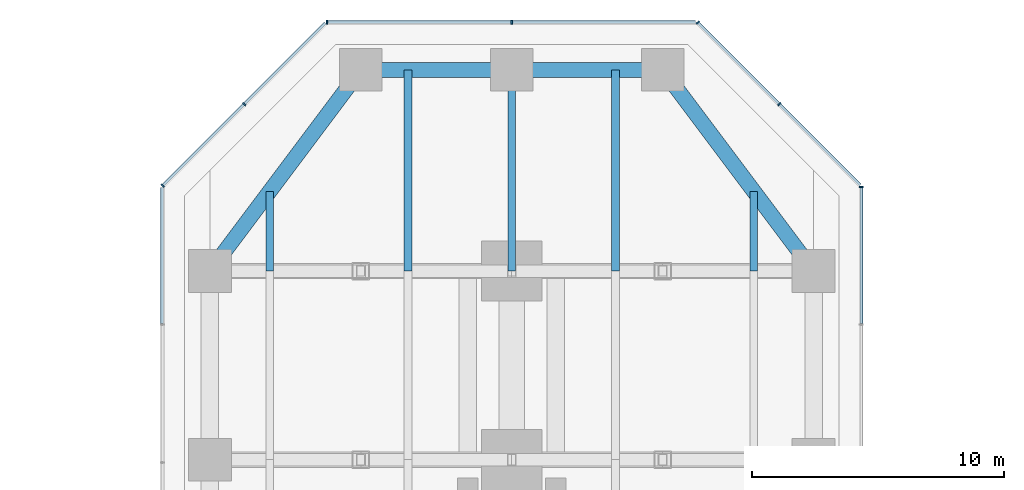
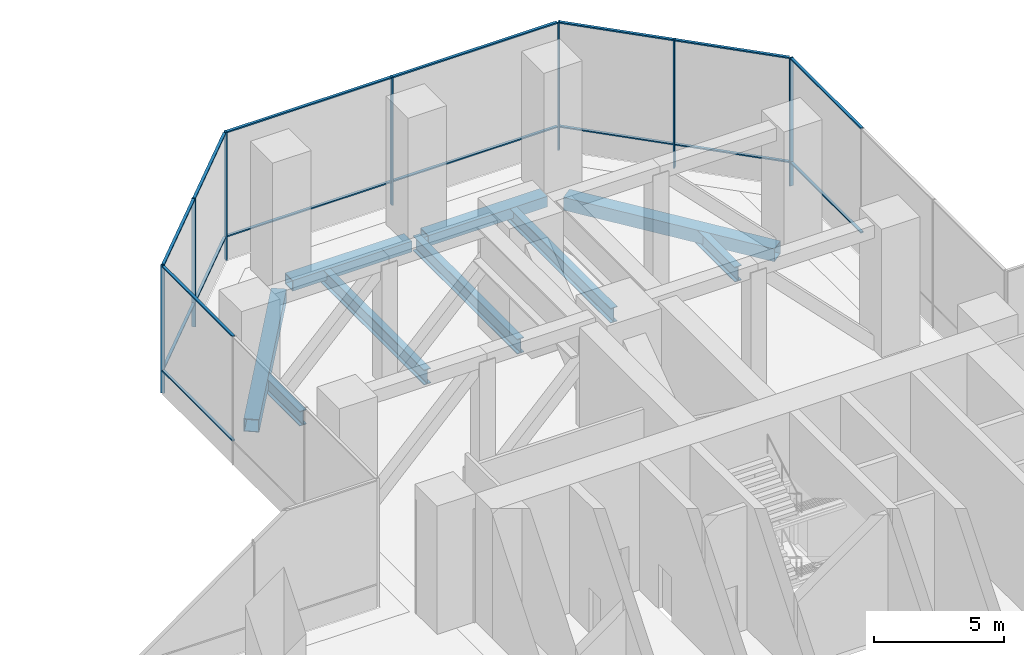
# One storey, part 11 of 19: 23 members, 9 beams, 5 elements without a shape of their own.
"""IFC4 building model written with IfcOpenShell, lengths in metres."""

from ifc_helpers import new_model, si_unit, direction, frame, origin, origin_2d, place, context, subcontext, project, spatial, rectangle, hollow_rectangle, i_section, extrude, material, material_profile, profile_set, type_object, element, aggregate, save


model = new_model("IFC4")

# Units and contexts
model_context = context("Model", 3, precision=1e-05, world=origin(), true_north=direction((0.0, 1.0)))
body_context = subcontext(model_context, "Body", "Model", "MODEL_VIEW")
ifc_project = project(units=[si_unit("LENGTHUNIT", "METRE"), si_unit("AREAUNIT", "SQUARE_METRE"), si_unit("VOLUMEUNIT", "CUBIC_METRE"), si_unit("PLANEANGLEUNIT", "RADIAN"), si_unit("MASSUNIT", "GRAM", prefix="KILO")], contexts=[model_context])

# Site, building, storey
site_placement = place(None, origin())
site = spatial("IfcSite", under=ifc_project, at=site_placement, CompositionType="ELEMENT")
building_placement = place(site_placement, origin())
building = spatial("IfcBuilding", under=site, at=building_placement, Name="Mizan Broadcast Tower", CompositionType="ELEMENT")
storey_placement = place(building_placement, frame((0.0, 0.0, 37.5)))
storey = spatial("IfcBuildingStorey", under=building, at=storey_placement, Name="L06", CompositionType="ELEMENT", Elevation=37.5)

# Beams
ifc_material_1 = material(Name="Steel S355", Category="steel")
ifc_material_profile_1 = material_profile(ifc_material_1, hollow_rectangle(XDim=0.60009765625, YDim=0.5, WallThickness=0.030029296875, at=origin_2d()), Name="BOX 500x600x30")
ifc_profile_set_1 = profile_set([ifc_material_profile_1], Name="Steel S355")
beam_type_1 = type_object("IfcBeamType", Name="EDGE BEAM BOX 500x600x30", PredefinedType="SPANDREL", material=ifc_profile_set_1)
for number, where, z_axis, x_axis, name in (
    (1, (5.639892578125, 35.0, -0.5), (-1.0, 0.0, 0.0), (0.0, -1.0, 0.0), "Edge beam BOX 500x600x30 L06 north arm"),
    (2, (-5.639892578125, 35.0, -0.5), (1.0, 0.0, 0.0), (0.0, 1.0, 0.0), "Edge beam BOX 500x600x30 L06 north arm"),
):
    element("IfcBeam", number, at=place(storey_placement, frame(where, z_axis=z_axis, x_axis=x_axis)), inside=storey, type_object=beam_type_1, Name=name, PredefinedType="SPANDREL", context=body_context, shape_type="SweptSolid", body=[
        extrude(hollow_rectangle(XDim=0.60009765625, YDim=0.5, WallThickness=0.030029296875, at=origin_2d()), origin(), (0.0, 0.0, 1.0), 5.27978515625),
    ])
ifc_material_2 = material(Name="Steel S355", Category="steel")
ifc_material_profile_2 = material_profile(ifc_material_2, hollow_rectangle(XDim=0.60009765625, YDim=0.60009765625, WallThickness=0.030029296875, at=origin_2d()), Name="BOX 600x600x30")
ifc_profile_set_2 = profile_set([ifc_material_profile_2], Name="Steel S355")
beam_type_2 = type_object("IfcBeamType", Name="EDGE BEAM BOX 600x600x30", PredefinedType="SPANDREL", material=ifc_profile_set_2)
for number, where, z_axis, x_axis, name in (
    (3, (11.639892578125, 27.47998046875, -0.550048828125), (-0.599982243973, 0.800013316712, 0.0), (-0.800013316712, -0.599982243973, 0.0), "Edge beam BOX 600x600x30 L06 north arm"),
    (4, (-11.639892578125, 27.47998046875, -0.550048828125), (0.599982243973, 0.800013316712, 0.0), (-0.800013316712, 0.599982243973, 0.0), "Edge beam BOX 600x600x30 L06 north arm"),
):
    element("IfcBeam", number, at=place(storey_placement, frame(where, z_axis=z_axis, x_axis=x_axis)), inside=storey, type_object=beam_type_2, Name=name, PredefinedType="SPANDREL", context=body_context, shape_type="SweptSolid", body=[
        extrude(hollow_rectangle(XDim=0.60009765625, YDim=0.60009765625, WallThickness=0.030029296875, at=origin_2d()), origin(), (0.0, 0.0, 1.0), 8.7998046875),
    ])

# Curtain wall, member
ifc_material_3 = material(Name="Aluminium framed glazing", Category="aluminium")
curtain_wall_type = type_object("IfcCurtainWallType", Name="PLANT LOUVRE", PredefinedType="USERDEFINED", material=ifc_material_3)
curtain_wall_1_placement = place(storey_placement, origin())
curtain_wall_1 = element("IfcCurtainWall", 5, at=curtain_wall_1_placement, inside=storey, type_object=curtain_wall_type, Name="Plant louvre L06 N side", ObjectType="PLANT LOUVRE", PredefinedType="USERDEFINED")
ifc_material_4 = material(Name="Aluminium, pale anodised", Category="aluminium")
ifc_material_profile_3 = material_profile(ifc_material_4, rectangle(XDim=0.159912109375, YDim=0.06005859375, at=origin_2d()), Name="MULLION 160x60")
ifc_profile_set_3 = profile_set([ifc_material_profile_3], Name="Aluminium, pale anodised")
member_type_1 = type_object("IfcMemberType", Name="INNER SKIN MULLION 60x160", PredefinedType="MULLION", material=ifc_profile_set_3)
member_1_placement = place(storey_placement, frame((13.89990234375, 30.3427734375, 0.0), z_axis=(0.0, 0.0, 1.0), x_axis=(-1.0, 0.0, 0.0)))
member_1 = element("IfcMember", 6, at=member_1_placement, type_object=member_type_1, Name="Plant louvre L06 N side mullion 4", PredefinedType="MULLION", context=body_context, shape_type="SweptSolid", body=[
    extrude(rectangle(XDim=0.159912109375, YDim=0.06005859375, at=origin_2d()), origin(), (0.0, 0.0, 1.0), 6.0),
])

# Curtain wall, members
curtain_wall_2_placement = place(storey_placement, origin())
curtain_wall_2 = element("IfcCurtainWall", 7, at=curtain_wall_2_placement, inside=storey, type_object=curtain_wall_type, Name="Plant louvre L06 N chamfer", ObjectType="PLANT LOUVRE", PredefinedType="USERDEFINED")
member_2_placement = place(storey_placement, frame((10.636474609375, 33.636474609375, 0.0), z_axis=(0.0, 0.0, 1.0), x_axis=(-0.707106781187, -0.707106781187, 0.0)))
member_2 = element("IfcMember", 8, at=member_2_placement, type_object=member_type_1, Name="Plant louvre L06 N chamfer mullion 2", PredefinedType="MULLION", context=body_context, shape_type="SweptSolid", body=[
    extrude(rectangle(XDim=0.159912109375, YDim=0.06005859375, at=origin_2d()), origin(), (0.0, 0.0, 1.0), 6.0),
])
member_3_placement = place(storey_placement, frame((7.39404296875, 36.87890625, 0.0), z_axis=(0.0, 0.0, 1.0), x_axis=(-0.707106781187, -0.707106781187, 0.0)))
member_3 = element("IfcMember", 9, at=member_3_placement, type_object=member_type_1, Name="Plant louvre L06 N chamfer mullion 3", PredefinedType="MULLION", context=body_context, shape_type="SweptSolid", body=[
    extrude(rectangle(XDim=0.159912109375, YDim=0.06005859375, at=origin_2d()), origin(), (0.0, 0.0, 1.0), 6.0),
])

curtain_wall_3_placement = place(storey_placement, origin())
curtain_wall_3 = element("IfcCurtainWall", 10, at=curtain_wall_3_placement, inside=storey, type_object=curtain_wall_type, Name="Plant louvre L06 N end", ObjectType="PLANT LOUVRE", PredefinedType="USERDEFINED")
member_4_placement = place(storey_placement, frame((0.0, 36.89990234375, 0.0), z_axis=(0.0, 0.0, 1.0), x_axis=(0.0, -1.0, 0.0)))
member_4 = element("IfcMember", 11, at=member_4_placement, type_object=member_type_1, Name="Plant louvre L06 N end mullion 2", PredefinedType="MULLION", context=body_context, shape_type="SweptSolid", body=[
    extrude(rectangle(XDim=0.159912109375, YDim=0.06005859375, at=origin_2d()), origin(), (0.0, 0.0, 1.0), 6.0),
])
member_5_placement = place(storey_placement, frame((-7.3427734375, 36.89990234375, 0.0), z_axis=(0.0, 0.0, 1.0), x_axis=(0.0, -1.0, 0.0)))
member_5 = element("IfcMember", 12, at=member_5_placement, type_object=member_type_1, Name="Plant louvre L06 N end mullion 3", PredefinedType="MULLION", context=body_context, shape_type="SweptSolid", body=[
    extrude(rectangle(XDim=0.159912109375, YDim=0.06005859375, at=origin_2d()), origin(), (0.0, 0.0, 1.0), 6.0),
])

curtain_wall_4_placement = place(storey_placement, origin())
curtain_wall_4 = element("IfcCurtainWall", 13, at=curtain_wall_4_placement, inside=storey, type_object=curtain_wall_type, Name="Plant louvre L06 N chamfer", ObjectType="PLANT LOUVRE", PredefinedType="USERDEFINED")
member_6_placement = place(storey_placement, frame((-10.636474609375, 33.636474609375, 0.0), z_axis=(0.0, 0.0, 1.0), x_axis=(0.707106781187, -0.707106781187, 0.0)))
member_6 = element("IfcMember", 14, at=member_6_placement, type_object=member_type_1, Name="Plant louvre L06 N chamfer mullion 2", PredefinedType="MULLION", context=body_context, shape_type="SweptSolid", body=[
    extrude(rectangle(XDim=0.159912109375, YDim=0.06005859375, at=origin_2d()), origin(), (0.0, 0.0, 1.0), 6.0),
])
member_7_placement = place(storey_placement, frame((-13.87890625, 30.39404296875, 0.0), z_axis=(0.0, 0.0, 1.0), x_axis=(0.707106781187, -0.707106781187, 0.0)))
member_7 = element("IfcMember", 15, at=member_7_placement, type_object=member_type_1, Name="Plant louvre L06 N chamfer mullion 3", PredefinedType="MULLION", context=body_context, shape_type="SweptSolid", body=[
    extrude(rectangle(XDim=0.159912109375, YDim=0.06005859375, at=origin_2d()), origin(), (0.0, 0.0, 1.0), 6.0),
])

# Member
ifc_material_5 = material(Name="Aluminium, pale anodised", Category="aluminium")
ifc_material_profile_4 = material_profile(ifc_material_5, rectangle(XDim=0.1201171875, YDim=0.06005859375, at=origin_2d()), Name="TRANSOM 120x60")
ifc_profile_set_4 = profile_set([ifc_material_profile_4], Name="Aluminium, pale anodised")
member_type_2 = type_object("IfcMemberType", Name="INNER SKIN TRANSOM 60x120", PredefinedType="USERDEFINED", material=ifc_profile_set_4)
member_8_placement = place(storey_placement, frame((13.89990234375, 24.911865234375, 1.10009765625), z_axis=(0.0, 1.0, 0.0), x_axis=(-1.0, 0.0, 0.0)))
member_8 = element("IfcMember", 16, at=member_8_placement, type_object=member_type_2, Name="Plant louvre L06 N side transom 3.1", ObjectType="TRANSOM", PredefinedType="USERDEFINED", context=body_context, shape_type="SweptSolid", body=[
    extrude(rectangle(XDim=0.1201171875, YDim=0.06005859375, at=origin_2d()), origin(), (0.0, 0.0, 1.0), 5.40087890625),
])

member_9_placement = place(storey_placement, frame((13.89990234375, 24.911865234375, 5.969970703125), z_axis=(0.0, 1.0, 0.0), x_axis=(-1.0, 0.0, 0.0)))
member_9 = element("IfcMember", 17, at=member_9_placement, type_object=member_type_2, Name="Plant louvre L06 N side transom 3.2", ObjectType="TRANSOM", PredefinedType="USERDEFINED", context=body_context, shape_type="SweptSolid", body=[
    extrude(rectangle(XDim=0.1201171875, YDim=0.06005859375, at=origin_2d()), origin(), (0.0, 0.0, 1.0), 5.40087890625),
])

aggregate(curtain_wall_1, [member_1, member_8, member_9])

member_10_placement = place(storey_placement, frame((13.857666015625, 30.415283203125, 1.10009765625), z_axis=(-0.707106781187, 0.707106781187, 0.0), x_axis=(-0.707106781187, -0.707106781187, 0.0)))
member_10 = element("IfcMember", 18, at=member_10_placement, type_object=member_type_2, Name="Plant louvre L06 N chamfer transom 1.1", ObjectType="TRANSOM", PredefinedType="USERDEFINED", context=body_context, shape_type="SweptSolid", body=[
    extrude(rectangle(XDim=0.1201171875, YDim=0.06005859375, at=origin_2d()), origin(), (0.0, 0.0, 1.0), 4.525390625),
])

member_11_placement = place(storey_placement, frame((13.857666015625, 30.415283203125, 5.969970703125), z_axis=(-0.707106781187, 0.707106781187, 0.0), x_axis=(-0.707106781187, -0.707106781187, 0.0)))
member_11 = element("IfcMember", 19, at=member_11_placement, type_object=member_type_2, Name="Plant louvre L06 N chamfer transom 1.2", ObjectType="TRANSOM", PredefinedType="USERDEFINED", context=body_context, shape_type="SweptSolid", body=[
    extrude(rectangle(XDim=0.1201171875, YDim=0.06005859375, at=origin_2d()), origin(), (0.0, 0.0, 1.0), 4.525390625),
])

member_12_placement = place(storey_placement, frame((10.615234375, 33.65771484375, 1.10009765625), z_axis=(-0.707106781187, 0.707106781187, 0.0), x_axis=(-0.707106781187, -0.707106781187, 0.0)))
member_12 = element("IfcMember", 20, at=member_12_placement, type_object=member_type_2, Name="Plant louvre L06 N chamfer transom 2.1", ObjectType="TRANSOM", PredefinedType="USERDEFINED", context=body_context, shape_type="SweptSolid", body=[
    extrude(rectangle(XDim=0.1201171875, YDim=0.06005859375, at=origin_2d()), origin(), (0.0, 0.0, 1.0), 4.525390625),
])

member_13_placement = place(storey_placement, frame((10.615234375, 33.65771484375, 5.969970703125), z_axis=(-0.707106781187, 0.707106781187, 0.0), x_axis=(-0.707106781187, -0.707106781187, 0.0)))
member_13 = element("IfcMember", 21, at=member_13_placement, type_object=member_type_2, Name="Plant louvre L06 N chamfer transom 2.2", ObjectType="TRANSOM", PredefinedType="USERDEFINED", context=body_context, shape_type="SweptSolid", body=[
    extrude(rectangle(XDim=0.1201171875, YDim=0.06005859375, at=origin_2d()), origin(), (0.0, 0.0, 1.0), 4.525390625),
])

aggregate(curtain_wall_2, [member_2, member_3, member_10, member_11, member_12, member_13])

member_14_placement = place(storey_placement, frame((7.312744140625, 36.89990234375, 1.10009765625), z_axis=(-1.0, 0.0, 0.0), x_axis=(0.0, -1.0, 0.0)))
member_14 = element("IfcMember", 22, at=member_14_placement, type_object=member_type_2, Name="Plant louvre L06 N end transom 1.1", ObjectType="TRANSOM", PredefinedType="USERDEFINED", context=body_context, shape_type="SweptSolid", body=[
    extrude(rectangle(XDim=0.1201171875, YDim=0.06005859375, at=origin_2d()), origin(), (0.0, 0.0, 1.0), 7.28271484375),
])

member_15_placement = place(storey_placement, frame((7.312744140625, 36.89990234375, 5.969970703125), z_axis=(-1.0, 0.0, 0.0), x_axis=(0.0, -1.0, 0.0)))
member_15 = element("IfcMember", 23, at=member_15_placement, type_object=member_type_2, Name="Plant louvre L06 N end transom 1.2", ObjectType="TRANSOM", PredefinedType="USERDEFINED", context=body_context, shape_type="SweptSolid", body=[
    extrude(rectangle(XDim=0.1201171875, YDim=0.06005859375, at=origin_2d()), origin(), (0.0, 0.0, 1.0), 7.28271484375),
])

member_16_placement = place(storey_placement, frame((-0.030029296875, 36.89990234375, 1.10009765625), z_axis=(-1.0, 0.0, 0.0), x_axis=(0.0, -1.0, 0.0)))
member_16 = element("IfcMember", 24, at=member_16_placement, type_object=member_type_2, Name="Plant louvre L06 N end transom 2.1", ObjectType="TRANSOM", PredefinedType="USERDEFINED", context=body_context, shape_type="SweptSolid", body=[
    extrude(rectangle(XDim=0.1201171875, YDim=0.06005859375, at=origin_2d()), origin(), (0.0, 0.0, 1.0), 7.28271484375),
])

member_17_placement = place(storey_placement, frame((-0.030029296875, 36.89990234375, 5.969970703125), z_axis=(-1.0, 0.0, 0.0), x_axis=(0.0, -1.0, 0.0)))
member_17 = element("IfcMember", 25, at=member_17_placement, type_object=member_type_2, Name="Plant louvre L06 N end transom 2.2", ObjectType="TRANSOM", PredefinedType="USERDEFINED", context=body_context, shape_type="SweptSolid", body=[
    extrude(rectangle(XDim=0.1201171875, YDim=0.06005859375, at=origin_2d()), origin(), (0.0, 0.0, 1.0), 7.28271484375),
])

aggregate(curtain_wall_3, [member_4, member_5, member_14, member_15, member_16, member_17])

member_18_placement = place(storey_placement, frame((-7.415283203125, 36.857666015625, 1.10009765625), z_axis=(-0.707106781187, -0.707106781187, 0.0), x_axis=(0.707106781187, -0.707106781187, 0.0)))
member_18 = element("IfcMember", 26, at=member_18_placement, type_object=member_type_2, Name="Plant louvre L06 N chamfer transom 1.1", ObjectType="TRANSOM", PredefinedType="USERDEFINED", context=body_context, shape_type="SweptSolid", body=[
    extrude(rectangle(XDim=0.1201171875, YDim=0.06005859375, at=origin_2d()), origin(), (0.0, 0.0, 1.0), 4.525390625),
])

member_19_placement = place(storey_placement, frame((-7.415283203125, 36.857666015625, 5.969970703125), z_axis=(-0.707106781187, -0.707106781187, 0.0), x_axis=(0.707106781187, -0.707106781187, 0.0)))
member_19 = element("IfcMember", 27, at=member_19_placement, type_object=member_type_2, Name="Plant louvre L06 N chamfer transom 1.2", ObjectType="TRANSOM", PredefinedType="USERDEFINED", context=body_context, shape_type="SweptSolid", body=[
    extrude(rectangle(XDim=0.1201171875, YDim=0.06005859375, at=origin_2d()), origin(), (0.0, 0.0, 1.0), 4.525390625),
])

member_20_placement = place(storey_placement, frame((-10.65771484375, 33.615234375, 1.10009765625), z_axis=(-0.707106781187, -0.707106781187, 0.0), x_axis=(0.707106781187, -0.707106781187, 0.0)))
member_20 = element("IfcMember", 28, at=member_20_placement, type_object=member_type_2, Name="Plant louvre L06 N chamfer transom 2.1", ObjectType="TRANSOM", PredefinedType="USERDEFINED", context=body_context, shape_type="SweptSolid", body=[
    extrude(rectangle(XDim=0.1201171875, YDim=0.06005859375, at=origin_2d()), origin(), (0.0, 0.0, 1.0), 4.525390625),
])

member_21_placement = place(storey_placement, frame((-10.65771484375, 33.615234375, 5.969970703125), z_axis=(-0.707106781187, -0.707106781187, 0.0), x_axis=(0.707106781187, -0.707106781187, 0.0)))
member_21 = element("IfcMember", 29, at=member_21_placement, type_object=member_type_2, Name="Plant louvre L06 N chamfer transom 2.2", ObjectType="TRANSOM", PredefinedType="USERDEFINED", context=body_context, shape_type="SweptSolid", body=[
    extrude(rectangle(XDim=0.1201171875, YDim=0.06005859375, at=origin_2d()), origin(), (0.0, 0.0, 1.0), 4.525390625),
])

aggregate(curtain_wall_4, [member_6, member_7, member_18, member_19, member_20, member_21])

# Curtain wall, members
curtain_wall_5_placement = place(storey_placement, origin())
curtain_wall_5 = element("IfcCurtainWall", 30, at=curtain_wall_5_placement, inside=storey, type_object=curtain_wall_type, Name="Plant louvre L06 N side", ObjectType="PLANT LOUVRE", PredefinedType="USERDEFINED")
member_22_placement = place(storey_placement, frame((-13.89990234375, 30.312744140625, 1.10009765625), z_axis=(0.0, -1.0, 0.0), x_axis=(1.0, 0.0, 0.0)))
member_22 = element("IfcMember", 31, at=member_22_placement, type_object=member_type_2, Name="Plant louvre L06 N side transom 1.1", ObjectType="TRANSOM", PredefinedType="USERDEFINED", context=body_context, shape_type="SweptSolid", body=[
    extrude(rectangle(XDim=0.1201171875, YDim=0.06005859375, at=origin_2d()), origin(), (0.0, 0.0, 1.0), 5.40087890625),
])
member_23_placement = place(storey_placement, frame((-13.89990234375, 30.312744140625, 5.969970703125), z_axis=(0.0, -1.0, 0.0), x_axis=(1.0, 0.0, 0.0)))
member_23 = element("IfcMember", 32, at=member_23_placement, type_object=member_type_2, Name="Plant louvre L06 N side transom 1.2", ObjectType="TRANSOM", PredefinedType="USERDEFINED", context=body_context, shape_type="SweptSolid", body=[
    extrude(rectangle(XDim=0.1201171875, YDim=0.06005859375, at=origin_2d()), origin(), (0.0, 0.0, 1.0), 5.40087890625),
])
aggregate(curtain_wall_5, [member_22, member_23])

# Beams
ifc_material_6 = material(Name="Steel S355", Category="steel")
ifc_material_profile_5 = material_profile(ifc_material_6, i_section(OverallWidth=0.300048828125, OverallDepth=0.699951171875, WebThickness=0.01708984375, FlangeThickness=0.031982421875, FilletRadius=0.027099609375, at=origin_2d()), Name="HEB 700")
ifc_profile_set_5 = profile_set([ifc_material_profile_5], Name="Steel S355")
beam_type_3 = type_object("IfcBeamType", Name="SECONDARY BEAM HEB 700", PredefinedType="JOIST", material=ifc_profile_set_5)
beam_1_placement = place(storey_placement, frame((9.625, 27.0, -0.60009765625), z_axis=(0.0, 1.0, 0.0), x_axis=(-1.0, 0.0, 0.0)))
element("IfcBeam", 33, at=beam_1_placement, inside=storey, type_object=beam_type_3, Name="Secondary beam HEB 700 L06 north arm", PredefinedType="JOIST", context=body_context, shape_type="SweptSolid", body=[
    extrude(i_section(OverallWidth=0.300048828125, OverallDepth=0.699951171875, WebThickness=0.01708984375, FlangeThickness=0.031982421875, FilletRadius=0.027099609375, at=origin_2d()), origin(), (0.0, 0.0, 1.0), 3.166748046875),
])
for number, where, z_axis, x_axis, name in (
    (34, (4.125, 27.0, -0.60009765625), (0.0, 1.0, 0.0), (-1.0, 0.0, 0.0), "Secondary beam HEB 700 L06 north arm"),
    (35, (0.0, 27.0, -0.60009765625), (0.0, 1.0, 0.0), (-1.0, 0.0, 0.0), "Secondary beam HEB 700 L06 north arm"),
    (36, (-4.125, 27.0, -0.60009765625), (0.0, 1.0, 0.0), (-1.0, 0.0, 0.0), "Secondary beam HEB 700 L06 north arm"),
):
    element("IfcBeam", number, at=place(storey_placement, frame(where, z_axis=z_axis, x_axis=x_axis)), inside=storey, type_object=beam_type_3, Name=name, PredefinedType="JOIST", context=body_context, shape_type="SweptSolid", body=[
        extrude(i_section(OverallWidth=0.300048828125, OverallDepth=0.699951171875, WebThickness=0.01708984375, FlangeThickness=0.031982421875, FilletRadius=0.027099609375, at=origin_2d()), origin(), (0.0, 0.0, 1.0), 8.0),
    ])
beam_2_placement = place(storey_placement, frame((-9.625, 27.0, -0.60009765625), z_axis=(0.0, 1.0, 0.0), x_axis=(-1.0, 0.0, 0.0)))
element("IfcBeam", 37, at=beam_2_placement, inside=storey, type_object=beam_type_3, Name="Secondary beam HEB 700 L06 north arm", PredefinedType="JOIST", context=body_context, shape_type="SweptSolid", body=[
    extrude(i_section(OverallWidth=0.300048828125, OverallDepth=0.699951171875, WebThickness=0.01708984375, FlangeThickness=0.031982421875, FilletRadius=0.027099609375, at=origin_2d()), origin(), (0.0, 0.0, 1.0), 3.166748046875),
])

save(model, "model.ifc")
